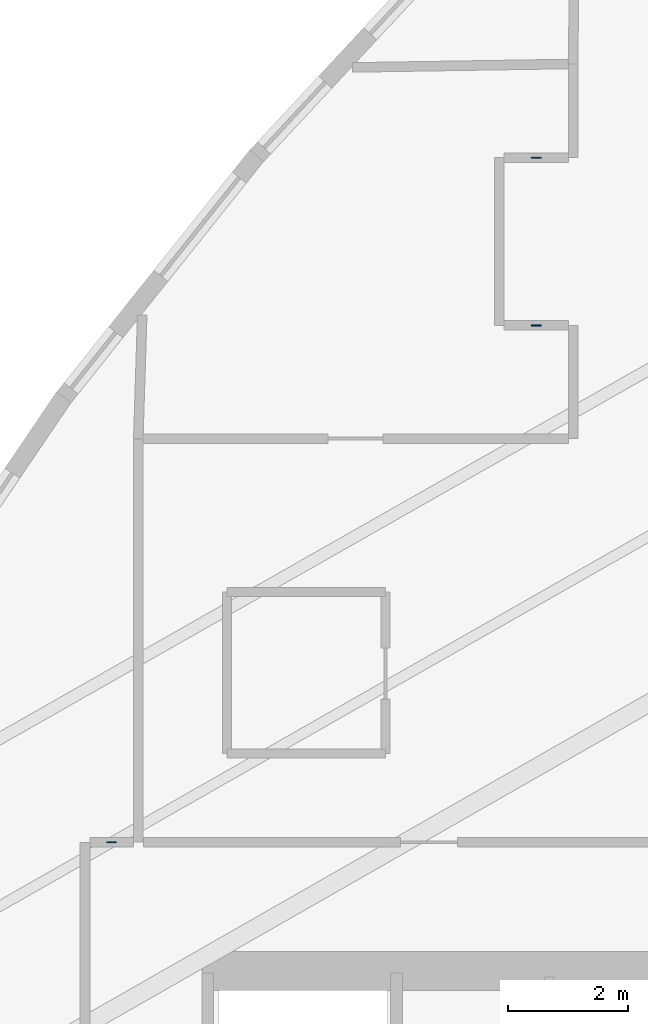
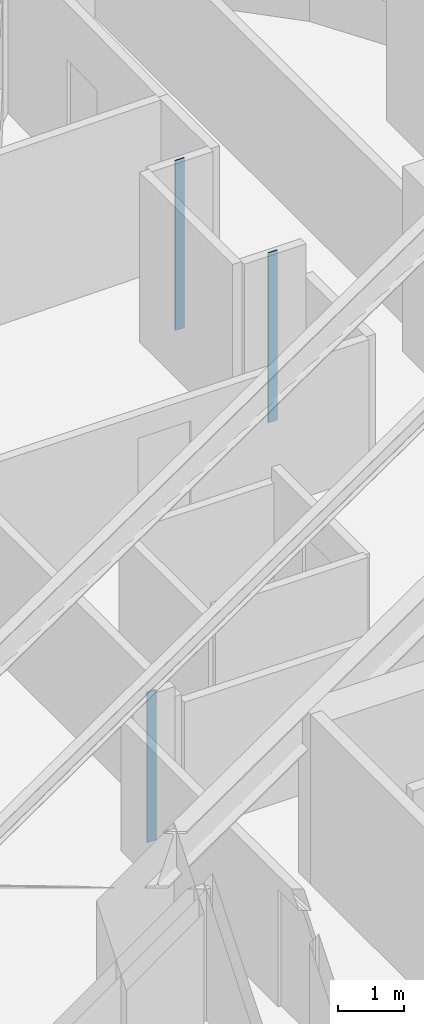
# One storey, part 5 of 14: 3 plates.
"""IFC4 building model written with IfcOpenShell, lengths in metres."""

from ifc_helpers import new_model, si_unit, direction, frame, origin, origin_2d, place, context, subcontext, project, spatial, rectangle, extrude, material, layer, layer_set, type_object, element, save


model = new_model("IFC4")

# Units and contexts
model_context = context("Model", 3, precision=1e-05, world=origin(), true_north=direction((0.0, 1.0)))
body_context = subcontext(model_context, "Body", "Model", "MODEL_VIEW")
ifc_project = project(units=[si_unit("LENGTHUNIT", "METRE"), si_unit("AREAUNIT", "SQUARE_METRE"), si_unit("VOLUMEUNIT", "CUBIC_METRE"), si_unit("PLANEANGLEUNIT", "RADIAN"), si_unit("MASSUNIT", "GRAM", prefix="KILO")], contexts=[model_context])

# Site, building, storey
site_placement = place(None, origin())
site = spatial("IfcSite", under=ifc_project, at=site_placement, CompositionType="ELEMENT")
building_placement = place(site_placement, origin())
building = spatial("IfcBuilding", under=site, at=building_placement, Name="Miruveldt Soraemaru", CompositionType="ELEMENT")
storey_placement = place(building_placement, frame((0.0, 0.0, 80.199951171875)))
storey = spatial("IfcBuildingStorey", under=building, at=storey_placement, Name="L22", CompositionType="ELEMENT", Elevation=80.199951171875)

# Plates
ifc_material = material(Name="Anodised aluminium EN AW-6063 T6", Category="aluminium")
ifc_layer = layer(ifc_material, 0.02001953125, Name="Anodised aluminium EN AW-6063 T6", Category="aluminium")
ifc_layer_set = layer_set([ifc_layer], Name="Anodised aluminium EN AW-6063 T6")
plate_type = type_object("IfcPlateType", Name="PLT-PART-TRIM", PredefinedType="SHEET", material=ifc_layer_set)
for number, where, z_axis, x_axis, name in (
    (1, (40.93505859375, 66.030029296875, 0.0), (0.0, 0.0, 1.0), (-1.0, 0.0, 0.0), "L22 Partition Step Corner Trim Plate 026"),
    (2, (40.93505859375, 63.22998046875, 0.0), (0.0, 0.0, 1.0), (1.0, 0.0, 0.0), "L22 Partition Step Corner Trim Plate 028"),
):
    element("IfcPlate", number, at=place(storey_placement, frame(where, z_axis=z_axis, x_axis=x_axis)), inside=storey, type_object=plate_type, Name=name, PredefinedType="SHEET", context=body_context, shape_type="SweptSolid", body=[
        extrude(rectangle(XDim=0.159912109375, YDim=0.02001953125, at=origin_2d()), origin(), (0.0, 0.0, 1.0), 3.125),
    ])
plate_placement = place(storey_placement, frame((33.844970703125, 54.60009765625, 0.0), z_axis=(0.0, 0.0, 1.0), x_axis=(-1.0, 0.0, 0.0)))
element("IfcPlate", 3, at=plate_placement, inside=storey, type_object=plate_type, Name="L22 Partition Step Corner Trim Plate 001", PredefinedType="SHEET", context=body_context, shape_type="SweptSolid", body=[
    extrude(rectangle(XDim=0.159912109375, YDim=0.02001953125, at=origin_2d()), origin(), (0.0, 0.0, 1.0), 2.762939453125),
])

save(model, "model.ifc")
